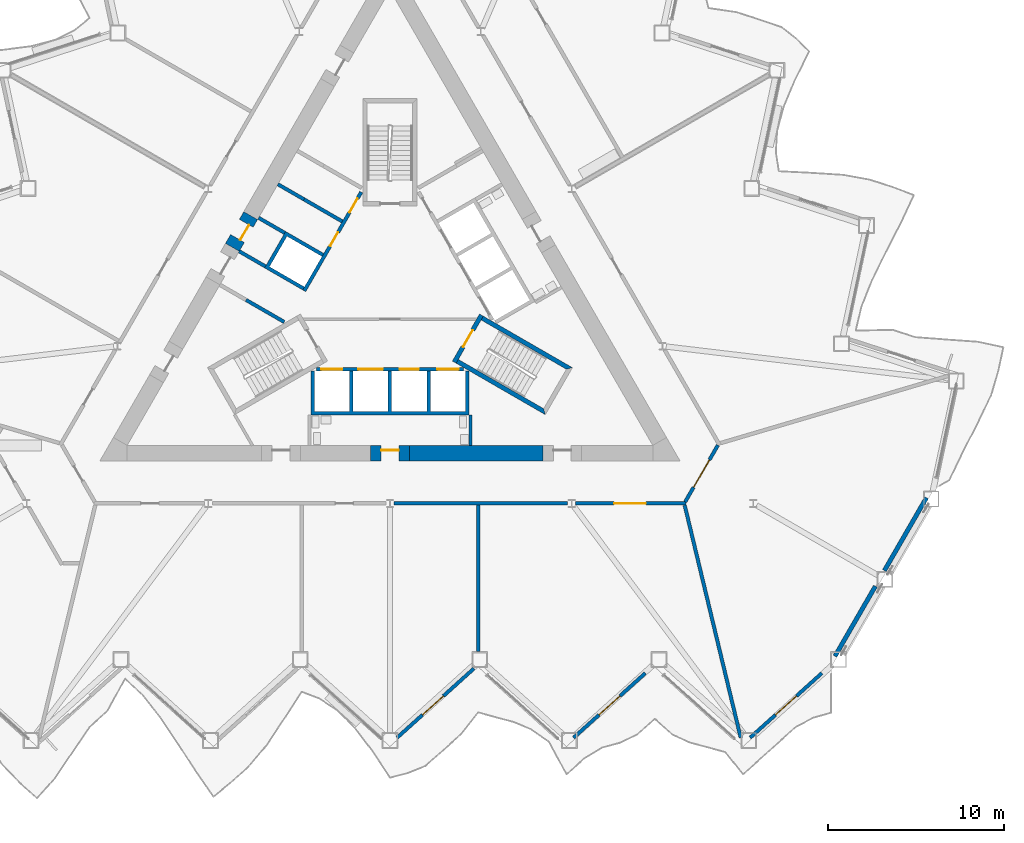
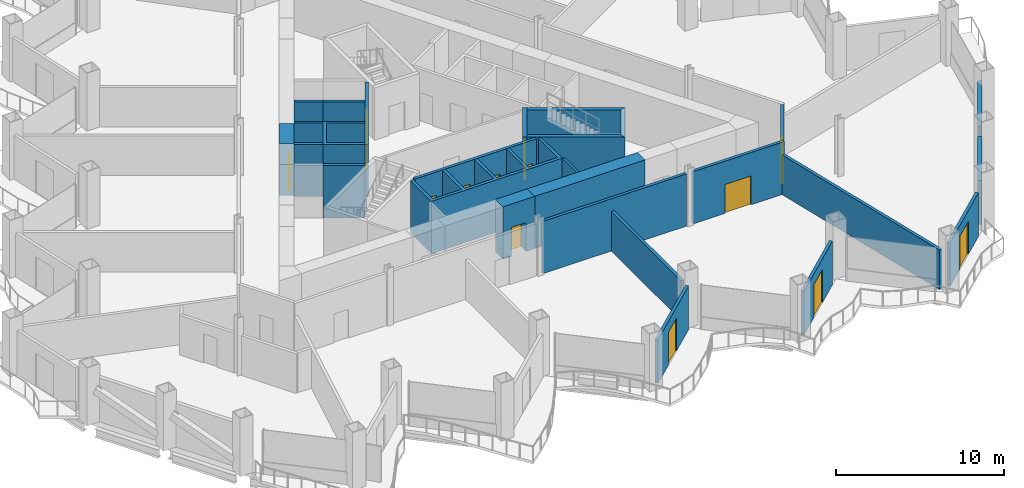
# One storey, part 11 of 21: 26 walls, 14 doors, 14 openings.
"""IFC4 building model written with IfcOpenShell, lengths in metres."""

from ifc_helpers import new_model, si_unit, direction, frame, frame_2d, origin, place, context, subcontext, project, spatial, polyline, rectangle, outline, extrude, material, layer, layer_set, type_object, element, fill, save


model = new_model("IFC4")

# Units and contexts
model_context = context("Model", 3, precision=1e-05, world=origin(), true_north=direction((0.0, 1.0)))
body_context = subcontext(model_context, "Body", "Model", "MODEL_VIEW")
ifc_project = project(units=[si_unit("LENGTHUNIT", "METRE"), si_unit("AREAUNIT", "SQUARE_METRE"), si_unit("VOLUMEUNIT", "CUBIC_METRE"), si_unit("PLANEANGLEUNIT", "RADIAN"), si_unit("MASSUNIT", "GRAM", prefix="KILO")], contexts=[model_context])

# Site, building, storey
site_placement = place(None, origin())
site = spatial("IfcSite", under=ifc_project, at=site_placement, CompositionType="ELEMENT")
building_placement = place(site_placement, origin())
building = spatial("IfcBuilding", under=site, at=building_placement, Name="Cormorant Prow Tower", CompositionType="ELEMENT")
storey_placement = place(building_placement, frame((0.0, 0.0, 112.199951171875)))
storey = spatial("IfcBuildingStorey", under=building, at=storey_placement, Name="L23", CompositionType="ELEMENT", Elevation=112.199951171875)

# Walls
ifc_material_1 = material(Name="Gypsum board partition")
ifc_layer_1 = layer(ifc_material_1, 0.14990234375)
ifc_layer_set_1 = layer_set([ifc_layer_1], Name="Gypsum board partition")
wall_type_1 = type_object("IfcWallType", Name="Core partition 150", PredefinedType="PARTITIONING", material=ifc_layer_set_1)
wall_1_placement = place(storey_placement, frame((4.574951171875, -6.906005859375, 0.0), z_axis=(0.0, 0.0, 1.0), x_axis=(0.0, -1.0, 0.0)))
element("IfcWall", 1, at=wall_1_placement, inside=storey, type_object=wall_type_1, Name="Service room partition", PredefinedType="PARTITIONING", context=body_context, shape_type="SweptSolid", body=[
    extrude(rectangle(XDim=1.72021484375, YDim=0.14990234375, at=frame_2d((0.860107421875, 0.0))), origin(), (0.0, 0.0, 1.0), 3.800048828125),
])
ifc_material_2 = material(Name="Concrete 8000 psi", Category="concrete")
ifc_layer_2 = layer(ifc_material_2, 0.89990234375)
ifc_layer_set_2 = layer_set([ifc_layer_2], Name="Concrete 8000 psi")
wall_type_2 = type_object("IfcWallType", Name="Core shear wall 900", PredefinedType="SHEAR", material=ifc_layer_set_2)
wall_2_placement = place(storey_placement, frame((1.10009765625, -9.076416015625, 0.0), z_axis=(0.0, 0.0, 1.0), x_axis=(1.0, 0.0, 0.0)))
element("IfcWall", 2, at=wall_2_placement, inside=storey, type_object=wall_type_2, Name="Core wall", PredefinedType="SHEAR", context=body_context, shape_type="SweptSolid", body=[
    extrude(rectangle(XDim=7.595458984375, YDim=0.89990234375, at=frame_2d((3.7978515625, 0.0))), origin(), (0.0, 0.0, 1.0), 3.800048828125),
])

# Wall, opening, door
wall_3_placement = place(storey_placement, frame((-1.10009765625, -9.076416015625, 0.0), z_axis=(0.0, 0.0, 1.0), x_axis=(1.0, 0.0, 0.0)))
wall_3 = element("IfcWall", 3, at=wall_3_placement, inside=storey, type_object=wall_type_2, Name="Core wall door panel", PredefinedType="SHEAR", context=body_context, shape_type="SweptSolid", body=[
    extrude(rectangle(XDim=2.2001953125, YDim=0.89990234375, at=frame_2d((1.10009765625, 0.0))), origin(), (0.0, 0.0, 1.0), 3.800048828125),
])
opening_1_placement = place(wall_3_placement, frame((0.60009765625, 0.0, 0.0)))
opening_1 = element("IfcOpeningElement", 4, at=opening_1_placement, cuts=wall_3, Name="Opening L23-C15", PredefinedType="OPENING", context=body_context, shape_type="SweptSolid", body=[
    extrude(rectangle(XDim=1.0, YDim=2.10009765625, at=frame_2d((0.5, 1.050048828125))), frame((0.0, 0.4599609375, 0.0), z_axis=(0.0, -1.0, 0.0), x_axis=(1.0, 0.0, 0.0)), (0.0, 0.0, 1.0), 0.919921875),
])
ifc_material_3 = material(Name="Painted steel", Category="steel")
door_type_1 = type_object("IfcDoorType", Name="Service door 1000x2100", OperationType="NOTDEFINED", PredefinedType="DOOR", material=ifc_material_3)
door_1_placement = place(opening_1_placement, origin())
door_1 = element("IfcDoor", 5, at=door_1_placement, inside=storey, type_object=door_type_1, Name="Core door, Toilets (women) L23", OperationType="SINGLE_SWING_RIGHT", OverallHeight=2.10009765625, OverallWidth=1.0, PredefinedType="DOOR", context=body_context, shape_type="SweptSolid", body=[
    extrude(rectangle(XDim=1.0, YDim=2.10009765625, at=frame_2d((0.5, 1.050048828125))), frame((0.0, 0.205078125, 0.0), z_axis=(0.0, -1.0, 0.0), x_axis=(1.0, 0.0, 0.0)), (0.0, 0.0, 1.0), 0.050048828125),
])
fill(opening_1, door_1)

wall_4_placement = place(storey_placement, frame((-7.92041015625, 4.43408203125, 0.0), z_axis=(0.0, 0.0, 1.0), x_axis=(-0.499939227269, -0.866060488094, 0.0)))
wall_4 = element("IfcWall", 6, at=wall_4_placement, inside=storey, type_object=wall_type_2, Name="Core wall door panel", PredefinedType="SHEAR", context=body_context, shape_type="SweptSolid", body=[
    extrude(rectangle(XDim=2.079833984375, YDim=0.89990234375, at=frame_2d((1.0400390625, 0.0))), origin(), (0.0, 0.0, 1.0), 3.800048828125),
])
opening_2_placement = place(wall_4_placement, frame((0.5, 0.0, 0.0)))
opening_2 = element("IfcOpeningElement", 7, at=opening_2_placement, cuts=wall_4, Name="Opening L23-C19", PredefinedType="OPENING", context=body_context, shape_type="SweptSolid", body=[
    extrude(rectangle(XDim=1.0, YDim=2.10009765625, at=frame_2d((0.5, 1.050048828125))), frame((0.0, 0.4599609375, 0.0), z_axis=(0.0, -1.0, 0.0), x_axis=(1.0, 0.0, 0.0)), (0.0, 0.0, 1.0), 0.919921875),
])
door_2_placement = place(opening_2_placement, origin())
door_2 = element("IfcDoor", 8, at=door_2_placement, inside=storey, type_object=door_type_1, Name="Core door, Electrical room", OperationType="SINGLE_SWING_LEFT", OverallHeight=2.10009765625, OverallWidth=1.0, PredefinedType="DOOR", context=body_context, shape_type="SweptSolid", body=[
    extrude(rectangle(XDim=1.0, YDim=2.10009765625, at=frame_2d((0.5, 1.050048828125))), frame((0.0, 0.205078125, 0.0), z_axis=(0.0, -1.0, 0.0), x_axis=(1.0, 0.0, 0.0)), (0.0, 0.0, 1.0), 0.050048828125),
])
fill(opening_2, door_2)

# Wall
ifc_material_4 = material(Name="Gypsum board corridor wall")
ifc_layer_3 = layer(ifc_material_4, 0.199951171875)
ifc_layer_set_3 = layer_set([ifc_layer_3], Name="Gypsum board corridor wall")
wall_type_3 = type_object("IfcWallType", Name="Corridor wall 200", PredefinedType="PARTITIONING", material=ifc_layer_set_3)
wall_5_placement = place(storey_placement, frame((0.227294921875, -11.92626953125, 0.0), z_axis=(0.0, 0.0, 1.0), x_axis=(1.0, 0.0, 0.0)))
element("IfcWall", 9, at=wall_5_placement, inside=storey, type_object=wall_type_3, Name="Corridor wall", PredefinedType="PARTITIONING", context=body_context, shape_type="SweptSolid", body=[
    extrude(rectangle(XDim=9.873779296875, YDim=0.199951171875, at=frame_2d((4.93701171875, 0.0))), origin(), (0.0, 0.0, 1.0), 3.800048828125),
])

# Wall, opening, door
wall_6_placement = place(storey_placement, frame((10.555908203125, -11.92626953125, 0.0), z_axis=(0.0, 0.0, 1.0), x_axis=(1.0, 0.0, 0.0)))
wall_6 = element("IfcWall", 10, at=wall_6_placement, inside=storey, type_object=wall_type_3, Name="Corridor wall", PredefinedType="PARTITIONING", context=body_context, shape_type="SweptSolid", body=[
    extrude(rectangle(XDim=6.27490234375, YDim=0.199951171875, at=frame_2d((3.137451171875, 0.0))), origin(), (0.0, 0.0, 1.0), 3.800048828125),
])
opening_3_placement = place(wall_6_placement, frame((2.1865234375, 0.0, 0.0)))
opening_3 = element("IfcOpeningElement", 11, at=opening_3_placement, cuts=wall_6, Name="Opening L23-F03", PredefinedType="OPENING", context=body_context, shape_type="SweptSolid", body=[
    extrude(rectangle(XDim=1.800048828125, YDim=2.10009765625, at=frame_2d((0.89990234375, 1.050048828125))), frame((0.0, 0.10986328125, 0.0), z_axis=(0.0, -1.0, 0.0), x_axis=(1.0, 0.0, 0.0)), (0.0, 0.0, 1.0), 0.219970703125),
])
ifc_material_5 = material(Name="Timber door leaf", Category="wood")
door_type_2 = type_object("IfcDoorType", Name="Double door 1800x2100", OperationType="DOUBLE_DOOR_SINGLE_SWING", PredefinedType="DOOR", material=ifc_material_5)
door_3_placement = place(opening_3_placement, origin())
door_3 = element("IfcDoor", 12, at=door_3_placement, inside=storey, type_object=door_type_2, Name="Open-plan office door", OperationType="DOUBLE_DOOR_SINGLE_SWING", OverallHeight=2.10009765625, OverallWidth=1.800048828125, PredefinedType="DOOR", context=body_context, shape_type="SweptSolid", body=[
    extrude(rectangle(XDim=1.800048828125, YDim=2.10009765625, at=frame_2d((0.89990234375, 1.050048828125))), frame((0.0, 0.02490234375, 0.0), z_axis=(0.0, -1.0, 0.0), x_axis=(1.0, 0.0, 0.0)), (0.0, 0.0, 1.0), 0.050048828125),
])
fill(opening_3, door_3)

wall_7_placement = place(storey_placement, frame((16.781005859375, -11.839599609375, 0.0), z_axis=(0.0, 0.0, 1.0), x_axis=(0.499958791762, 0.866049194065, 0.0)))
wall_7 = element("IfcWall", 13, at=wall_7_placement, inside=storey, type_object=wall_type_3, Name="Corridor wall", PredefinedType="PARTITIONING", context=body_context, shape_type="SweptSolid", body=[
    extrude(rectangle(XDim=3.725830078125, YDim=0.199951171875, at=frame_2d((1.86279296875, 0.0))), origin(), (0.0, 0.0, 1.0), 3.800048828125),
])
opening_4_placement = place(wall_7_placement, frame((0.962890625, 0.0, 0.0)))
opening_4 = element("IfcOpeningElement", 14, at=opening_4_placement, cuts=wall_7, Name="Opening L23-F04", PredefinedType="OPENING", context=body_context, shape_type="SweptSolid", body=[
    extrude(rectangle(XDim=1.800048828125, YDim=2.10009765625, at=frame_2d((0.89990234375, 1.050048828125))), frame((0.0, 0.10986328125, 0.0), z_axis=(0.0, -1.0, 0.0), x_axis=(1.0, 0.0, 0.0)), (0.0, 0.0, 1.0), 0.219970703125),
])
door_4_placement = place(opening_4_placement, origin())
door_4 = element("IfcDoor", 15, at=door_4_placement, inside=storey, type_object=door_type_2, Name="Open-plan office door", OperationType="DOUBLE_DOOR_SINGLE_SWING", OverallHeight=2.10009765625, OverallWidth=1.800048828125, PredefinedType="DOOR", context=body_context, shape_type="SweptSolid", body=[
    extrude(rectangle(XDim=1.800048828125, YDim=2.10009765625, at=frame_2d((0.89990234375, 1.050048828125))), frame((0.0, 0.02490234375, 0.0), z_axis=(0.0, -1.0, 0.0), x_axis=(1.0, 0.0, 0.0)), (0.0, 0.0, 1.0), 0.050048828125),
])
fill(opening_4, door_4)

# Walls
ifc_material_6 = material(Name="Gypsum board demising wall")
ifc_layer_4 = layer(ifc_material_6, 0.199951171875)
ifc_layer_set_4 = layer_set([ifc_layer_4], Name="Gypsum board demising wall")
wall_type_4 = type_object("IfcWallType", Name="Demising wall 200", PredefinedType="PARTITIONING", material=ifc_layer_set_4)
wall_8_placement = place(storey_placement, frame((16.75439453125, -12.0234375, 0.0), z_axis=(0.0, 0.0, 1.0), x_axis=(0.234226353532, -0.972182089586, 0.0)))
element("IfcWall", 16, at=wall_8_placement, inside=storey, type_object=wall_type_4, Name="Demising wall", PredefinedType="PARTITIONING", context=body_context, shape_type="SweptSolid", body=[
    extrude(rectangle(XDim=13.599365234375, YDim=0.199951171875, at=frame_2d((6.7998046875, 0.0))), origin(), (0.0, 0.0, 1.0), 2.88525390625),
])
wall_9_placement = place(storey_placement, frame((5.01806640625, -20.34716796875, 0.0), z_axis=(0.0, 0.0, 1.0), x_axis=(0.0, 1.0, 0.0)))
element("IfcWall", 17, at=wall_9_placement, inside=storey, type_object=wall_type_4, Name="Demising wall", PredefinedType="PARTITIONING", context=body_context, shape_type="SweptSolid", body=[
    extrude(rectangle(XDim=8.32080078125, YDim=0.199951171875, at=frame_2d((4.160400390625, 0.0))), origin(), (0.0, 0.0, 1.0), 2.88525390625),
])

# Wall, openings, doors
ifc_material_7 = material(Name="Concrete 5000 psi", Category="concrete")
ifc_layer_5 = layer(ifc_material_7, 0.199951171875)
ifc_layer_set_5 = layer_set([ifc_layer_5], Name="Concrete 5000 psi")
wall_type_5 = type_object("IfcWallType", Name="Lift lobby wall 200", PredefinedType="SOLIDWALL", material=ifc_layer_set_5)
wall_10_placement = place(storey_placement, frame((-4.1865234375, -4.300048828125, 0.0), z_axis=(0.0, 0.0, 1.0), x_axis=(1.0, 0.0, 0.0)))
wall_10 = element("IfcWall", 18, at=wall_10_placement, inside=storey, type_object=wall_type_5, Name="Lift lobby wall, S block", PredefinedType="SOLIDWALL", context=body_context, shape_type="SweptSolid", body=[
    extrude(rectangle(XDim=8.373046875, YDim=0.199951171875, at=frame_2d((4.1865234375, 0.0))), origin(), (0.0, 0.0, 1.0), 3.800048828125),
])
opening_5_placement = place(wall_10_placement, frame((0.28662109375, 0.0, 0.0)))
opening_5 = element("IfcOpeningElement", 19, at=opening_5_placement, cuts=wall_10, Name="Opening L23-C01", PredefinedType="OPENING", context=body_context, shape_type="SweptSolid", body=[
    extrude(rectangle(XDim=1.199951171875, YDim=2.10009765625, at=frame_2d((0.60009765625, 1.050048828125))), frame((0.0, 0.10986328125, 0.0), z_axis=(0.0, -1.0, 0.0), x_axis=(1.0, 0.0, 0.0)), (0.0, 0.0, 1.0), 0.219970703125),
])
opening_6_placement = place(wall_10_placement, frame((2.38671875, 0.0, 0.0)))
opening_6 = element("IfcOpeningElement", 20, at=opening_6_placement, cuts=wall_10, Name="Opening L23-C02", PredefinedType="OPENING", context=body_context, shape_type="SweptSolid", body=[
    extrude(rectangle(XDim=1.39990234375, YDim=2.10009765625, at=frame_2d((0.699951171875, 1.050048828125))), frame((0.0, 0.10986328125, 0.0), z_axis=(0.0, -1.0, 0.0), x_axis=(1.0, 0.0, 0.0)), (0.0, 0.0, 1.0), 0.219970703125),
])
opening_7_placement = place(wall_10_placement, frame((4.736572265625, 0.0, 0.0)))
opening_7 = element("IfcOpeningElement", 21, at=opening_7_placement, cuts=wall_10, Name="Opening L23-C03", PredefinedType="OPENING", context=body_context, shape_type="SweptSolid", body=[
    extrude(rectangle(XDim=1.10009765625, YDim=2.10009765625, at=frame_2d((0.550048828125, 1.050048828125))), frame((0.0, 0.10986328125, 0.0), z_axis=(0.0, -1.0, 0.0), x_axis=(1.0, 0.0, 0.0)), (0.0, 0.0, 1.0), 0.219970703125),
])
opening_8_placement = place(wall_10_placement, frame((6.88671875, 0.0, 0.0)))
opening_8 = element("IfcOpeningElement", 22, at=opening_8_placement, cuts=wall_10, Name="Opening L23-C04", PredefinedType="OPENING", context=body_context, shape_type="SweptSolid", body=[
    extrude(rectangle(XDim=1.199951171875, YDim=2.10009765625, at=frame_2d((0.60009765625, 1.050048828125))), frame((0.0, 0.10986328125, 0.0), z_axis=(0.0, -1.0, 0.0), x_axis=(1.0, 0.0, 0.0)), (0.0, 0.0, 1.0), 0.219970703125),
])
ifc_material_8 = material(Name="Painted steel", Category="steel")
door_type_3 = type_object("IfcDoorType", Name="Firefighting lift landing door 1200x2100", OperationType="SLIDING_TO_LEFT", PredefinedType="DOOR", material=ifc_material_8)
door_5_placement = place(opening_5_placement, origin())
door_5 = element("IfcDoor", 23, at=door_5_placement, inside=storey, type_object=door_type_3, Name="Landing door FL1", OperationType="SLIDING_TO_LEFT", OverallHeight=2.10009765625, OverallWidth=1.199951171875, PredefinedType="DOOR", context=body_context, shape_type="SweptSolid", body=[
    extrude(rectangle(XDim=1.199951171875, YDim=2.10009765625, at=frame_2d((0.60009765625, 1.050048828125))), frame((0.0, 0.02490234375, 0.0), z_axis=(0.0, -1.0, 0.0), x_axis=(1.0, 0.0, 0.0)), (0.0, 0.0, 1.0), 0.050048828125),
])
fill(opening_5, door_5)
door_6_placement = place(opening_8_placement, origin())
door_6 = element("IfcDoor", 24, at=door_6_placement, inside=storey, type_object=door_type_3, Name="Landing door FL2", OperationType="SLIDING_TO_LEFT", OverallHeight=2.10009765625, OverallWidth=1.199951171875, PredefinedType="DOOR", context=body_context, shape_type="SweptSolid", body=[
    extrude(rectangle(XDim=1.199951171875, YDim=2.10009765625, at=frame_2d((0.60009765625, 1.050048828125))), frame((0.0, 0.02490234375, 0.0), z_axis=(0.0, -1.0, 0.0), x_axis=(1.0, 0.0, 0.0)), (0.0, 0.0, 1.0), 0.050048828125),
])
fill(opening_8, door_6)
ifc_material_9 = material(Name="Painted steel", Category="steel")
door_type_4 = type_object("IfcDoorType", Name="Lift landing door 1100x2100", OperationType="SLIDING_TO_LEFT", PredefinedType="DOOR", material=ifc_material_9)
door_7_placement = place(opening_7_placement, origin())
door_7 = element("IfcDoor", 25, at=door_7_placement, inside=storey, type_object=door_type_4, Name="Landing door LR1", OperationType="SLIDING_TO_LEFT", OverallHeight=2.10009765625, OverallWidth=1.10009765625, PredefinedType="DOOR", context=body_context, shape_type="SweptSolid", body=[
    extrude(rectangle(XDim=1.10009765625, YDim=2.10009765625, at=frame_2d((0.550048828125, 1.050048828125))), frame((0.0, 0.02490234375, 0.0), z_axis=(0.0, -1.0, 0.0), x_axis=(1.0, 0.0, 0.0)), (0.0, 0.0, 1.0), 0.050048828125),
])
fill(opening_7, door_7)
ifc_material_10 = material(Name="Painted steel", Category="steel")
door_type_5 = type_object("IfcDoorType", Name="Service lift landing door 1400x2100", OperationType="SLIDING_TO_LEFT", PredefinedType="DOOR", material=ifc_material_10)
door_8_placement = place(opening_6_placement, origin())
door_8 = element("IfcDoor", 26, at=door_8_placement, inside=storey, type_object=door_type_5, Name="Landing door SL1", OperationType="SLIDING_TO_LEFT", OverallHeight=2.10009765625, OverallWidth=1.39990234375, PredefinedType="DOOR", context=body_context, shape_type="SweptSolid", body=[
    extrude(rectangle(XDim=1.39990234375, YDim=2.10009765625, at=frame_2d((0.699951171875, 1.050048828125))), frame((0.0, 0.02490234375, 0.0), z_axis=(0.0, -1.0, 0.0), x_axis=(1.0, 0.0, 0.0)), (0.0, 0.0, 1.0), 0.050048828125),
])
fill(opening_6, door_8)

wall_11_placement = place(storey_placement, frame((-1.630615234375, 5.775634765625, 0.0), z_axis=(0.0, 0.0, 1.0), x_axis=(-0.499992876559, -0.866029516466, 0.0)))
wall_11 = element("IfcWall", 27, at=wall_11_placement, inside=storey, type_object=wall_type_5, Name="Lift lobby wall, WNW block", PredefinedType="SOLIDWALL", context=body_context, shape_type="SweptSolid", body=[
    extrude(rectangle(XDim=6.486328125, YDim=0.199951171875, at=frame_2d((3.2431640625, 0.0))), origin(), (0.0, 0.0, 1.0), 3.800048828125),
])
opening_9_placement = place(wall_11_placement, frame((0.4365234375, 0.0, 0.0)))
opening_9 = element("IfcOpeningElement", 28, at=opening_9_placement, cuts=wall_11, Name="Opening L23-C09", PredefinedType="OPENING", context=body_context, shape_type="SweptSolid", body=[
    extrude(rectangle(XDim=0.89990234375, YDim=2.10009765625, at=frame_2d((0.449951171875, 1.050048828125))), frame((0.0, 0.10986328125, 0.0), z_axis=(0.0, -1.0, 0.0), x_axis=(1.0, 0.0, 0.0)), (0.0, 0.0, 1.0), 0.219970703125),
])
opening_10_placement = place(wall_11_placement, frame((2.63671875, 0.0, 0.0)))
opening_10 = element("IfcOpeningElement", 29, at=opening_10_placement, cuts=wall_11, Name="Opening L23-C10", PredefinedType="OPENING", context=body_context, shape_type="SweptSolid", body=[
    extrude(rectangle(XDim=0.89990234375, YDim=2.10009765625, at=frame_2d((0.449951171875, 1.050048828125))), frame((0.0, 0.10986328125, 0.0), z_axis=(0.0, -1.0, 0.0), x_axis=(1.0, 0.0, 0.0)), (0.0, 0.0, 1.0), 0.219970703125),
])
ifc_material_11 = material(Name="Painted steel", Category="steel")
door_type_6 = type_object("IfcDoorType", Name="Service door 900x2100", OperationType="NOTDEFINED", PredefinedType="DOOR", material=ifc_material_11)
door_9_placement = place(opening_9_placement, origin())
door_9 = element("IfcDoor", 30, at=door_9_placement, inside=storey, type_object=door_type_6, Name="Service door, Refuse store", OperationType="SINGLE_SWING_LEFT", OverallHeight=2.10009765625, OverallWidth=0.89990234375, PredefinedType="DOOR", context=body_context, shape_type="SweptSolid", body=[
    extrude(rectangle(XDim=0.89990234375, YDim=2.10009765625, at=frame_2d((0.449951171875, 1.050048828125))), frame((0.0, 0.02490234375, 0.0), z_axis=(0.0, -1.0, 0.0), x_axis=(1.0, 0.0, 0.0)), (0.0, 0.0, 1.0), 0.050048828125),
])
fill(opening_9, door_9)
door_10_placement = place(opening_10_placement, origin())
door_10 = element("IfcDoor", 31, at=door_10_placement, inside=storey, type_object=door_type_6, Name="Service door, Pantry store", OperationType="SINGLE_SWING_LEFT", OverallHeight=2.10009765625, OverallWidth=0.89990234375, PredefinedType="DOOR", context=body_context, shape_type="SweptSolid", body=[
    extrude(rectangle(XDim=0.89990234375, YDim=2.10009765625, at=frame_2d((0.449951171875, 1.050048828125))), frame((0.0, 0.02490234375, 0.0), z_axis=(0.0, -1.0, 0.0), x_axis=(1.0, 0.0, 0.0)), (0.0, 0.0, 1.0), 0.050048828125),
])
fill(opening_10, door_10)

# Walls
ifc_material_12 = material(Name="Concrete 8000 psi", Category="concrete")
ifc_layer_6 = layer(ifc_material_12, 0.199951171875)
ifc_layer_set_6 = layer_set([ifc_layer_6], Name="Concrete 8000 psi")
wall_type_6 = type_object("IfcWallType", Name="Lift shaft wall 200", PredefinedType="SHEAR", material=ifc_layer_set_6)
wall_12_placement = place(storey_placement, origin())
element("IfcWall", 32, at=wall_12_placement, inside=storey, type_object=wall_type_6, Name="Lift shaft walls, S block", PredefinedType="SHEAR", context=body_context, shape_type="SweptSolid", body=[
    extrude(outline(polyline([(4.5, -4.39990234375), (4.5, -6.906005859375), (-4.5, -6.906005859375), (-4.5, -4.39990234375), (-4.300048828125, -4.39990234375), (-4.300048828125, -6.699951171875), (-2.300048828125, -6.699951171875), (-2.300048828125, -4.39990234375), (-2.10009765625, -4.39990234375), (-2.10009765625, -6.699951171875), (-0.10009765625, -6.699951171875), (-0.10009765625, -4.39990234375), (0.10009765625, -4.39990234375), (0.10009765625, -6.699951171875), (2.10009765625, -6.699951171875), (2.10009765625, -4.39990234375), (2.300048828125, -4.39990234375), (2.300048828125, -6.699951171875), (4.300048828125, -6.699951171875), (4.300048828125, -4.39990234375), (4.5, -4.39990234375)])), origin(), (0.0, 0.0, 1.0), 3.800048828125),
])
wall_13_placement = place(storey_placement, origin())
element("IfcWall", 33, at=wall_13_placement, inside=storey, type_object=wall_type_6, Name="Lift shaft walls, WNW block", PredefinedType="SHEAR", context=body_context, shape_type="SweptSolid", body=[
    extrude(outline(polyline([(-6.060546875, -1.697021484375), (-8.230712890625, -0.444091796875), (-8.130859375, -0.27099609375), (-5.96044921875, -1.52392578125), (-6.060546875, -1.697021484375)])), origin(), (0.0, 0.0, 1.0), 3.800048828125),
])
wall_14_placement = place(storey_placement, origin())
element("IfcWall", 34, at=wall_14_placement, inside=storey, type_object=wall_type_6, Name="Lift shaft walls, WNW block", PredefinedType="SHEAR", context=body_context, shape_type="SweptSolid", body=[
    extrude(outline(polyline([(-4.96044921875, 0.2080078125), (-7.130859375, 1.461181640625), (-5.930908203125, 3.53955078125), (-3.760498046875, 2.28662109375), (-3.860595703125, 2.11328125), (-5.852294921875, 3.263427734375), (-6.852294921875, 1.53125), (-4.860595703125, 0.38134765625), (-4.96044921875, 0.2080078125)])), origin(), (0.0, 0.0, 1.0), 3.800048828125),
])
wall_15_placement = place(storey_placement, origin())
element("IfcWall", 35, at=wall_15_placement, inside=storey, type_object=wall_type_6, Name="Lift shaft walls, WNW block", PredefinedType="SHEAR", context=body_context, shape_type="SweptSolid", body=[
    extrude(outline(polyline([(-2.760498046875, 4.018798828125), (-4.930908203125, 5.271728515625), (-4.830810546875, 5.44482421875), (-2.660400390625, 4.19189453125), (-2.760498046875, 4.018798828125)])), origin(), (0.0, 0.0, 1.0), 3.800048828125),
])
wall_16_placement = place(storey_placement, frame((-4.880859375, 5.3583984375, 0.0), z_axis=(0.0, 0.0, 1.0), x_axis=(-0.866024871741, 0.500000921525, 0.0)))
element("IfcWall", 36, at=wall_16_placement, inside=storey, type_object=wall_type_6, Name="Store side wall", PredefinedType="SHEAR", context=body_context, shape_type="SweptSolid", body=[
    extrude(rectangle(XDim=1.72021484375, YDim=0.199951171875, at=frame_2d((0.860107421875, 0.0))), origin(), (0.0, 0.0, 1.0), 3.800048828125),
])
wall_17_placement = place(storey_placement, frame((-5.980712890625, 3.452880859375, 0.0), z_axis=(0.0, 0.0, 1.0), x_axis=(-0.866060346521, 0.499939472521, 0.0)))
element("IfcWall", 37, at=wall_17_placement, inside=storey, type_object=wall_type_6, Name="Store side wall", PredefinedType="SHEAR", context=body_context, shape_type="SweptSolid", body=[
    extrude(rectangle(XDim=1.720458984375, YDim=0.199951171875, at=frame_2d((0.8603515625, 0.0))), origin(), (0.0, 0.0, 1.0), 3.800048828125),
])
wall_18_placement = place(storey_placement, frame((-7.080810546875, 1.547607421875, 0.0), z_axis=(0.0, 0.0, 1.0), x_axis=(-0.865963414263, 0.500107353632, 0.0)))
element("IfcWall", 38, at=wall_18_placement, inside=storey, type_object=wall_type_6, Name="Lobby passage wall", PredefinedType="SHEAR", context=body_context, shape_type="SweptSolid", body=[
    extrude(rectangle(XDim=1.72021484375, YDim=0.199951171875, at=frame_2d((0.860107421875, 0.0))), origin(), (0.0, 0.0, 1.0), 3.800048828125),
])
ifc_material_13 = material(Name="Concrete 8000 psi", Category="concrete")
ifc_layer_7 = layer(ifc_material_13, 0.25)
ifc_layer_set_7 = layer_set([ifc_layer_7], Name="Concrete 8000 psi")
wall_type_7 = type_object("IfcWallType", Name="Stair wall 250", PredefinedType="SHEAR", material=ifc_layer_set_7)
wall_19_placement = place(storey_placement, origin())
element("IfcWall", 39, at=wall_19_placement, inside=storey, type_object=wall_type_7, Name="Stair ST2 enclosure wall (flank)", PredefinedType="SHEAR", context=body_context, shape_type="SweptSolid", body=[
    extrude(outline(polyline([(3.76318359375, -3.95556640625), (8.82958984375, -6.880615234375), (8.738037109375, -6.5390625), (3.88818359375, -3.739013671875), (3.76318359375, -3.95556640625)])), origin(), (0.0, 0.0, 1.0), 3.800048828125),
])
wall_20_placement = place(storey_placement, origin())
element("IfcWall", 40, at=wall_20_placement, inside=storey, type_object=wall_type_7, Name="Stair ST2 enclosure wall (flank)", PredefinedType="SHEAR", context=body_context, shape_type="SweptSolid", body=[
    extrude(outline(polyline([(10.031982421875, -4.2978515625), (10.37353515625, -4.206298828125), (5.30712890625, -1.28125), (5.18212890625, -1.497802734375), (10.031982421875, -4.2978515625)])), origin(), (0.0, 0.0, 1.0), 3.800048828125),
])

# Wall, opening, door
wall_21_placement = place(storey_placement, frame((3.655029296875, -3.89306640625, 0.0), z_axis=(0.0, 0.0, 1.0), x_axis=(0.499982516597, 0.866035497597, 0.0)))
wall_21 = element("IfcWall", 41, at=wall_21_placement, inside=storey, type_object=wall_type_7, Name="Stair ST2 door wall", PredefinedType="SHEAR", context=body_context, shape_type="SweptSolid", body=[
    extrude(rectangle(XDim=3.087890625, YDim=0.25, at=frame_2d((1.5439453125, 0.0))), origin(), (0.0, 0.0, 1.0), 3.800048828125),
])
opening_11_placement = place(wall_21_placement, frame((0.993896484375, 0.0, 0.0)))
opening_11 = element("IfcOpeningElement", 42, at=opening_11_placement, cuts=wall_21, Name="Opening L23-C13", PredefinedType="OPENING", context=body_context, shape_type="SweptSolid", body=[
    extrude(rectangle(XDim=1.10009765625, YDim=2.10009765625, at=frame_2d((0.550048828125, 1.050048828125))), frame((0.0, 0.135009765625, 0.0), z_axis=(0.0, -1.0, 0.0), x_axis=(1.0, 0.0, 0.0)), (0.0, 0.0, 1.0), 0.27001953125),
])
ifc_material_14 = material(Name="Painted steel", Category="steel")
door_type_7 = type_object("IfcDoorType", Name="Stair door 1100x2100", OperationType="NOTDEFINED", PredefinedType="DOOR", material=ifc_material_14)
door_11_placement = place(opening_11_placement, origin())
door_11 = element("IfcDoor", 43, at=door_11_placement, inside=storey, type_object=door_type_7, Name="Stair ST2 door", OperationType="SINGLE_SWING_RIGHT", OverallHeight=2.10009765625, OverallWidth=1.10009765625, PredefinedType="DOOR", context=body_context, shape_type="SweptSolid", body=[
    extrude(rectangle(XDim=1.10009765625, YDim=2.10009765625, at=frame_2d((0.550048828125, 1.050048828125))), frame((0.0, 0.02490234375, 0.0), z_axis=(0.0, -1.0, 0.0), x_axis=(1.0, 0.0, 0.0)), (0.0, 0.0, 1.0), 0.050048828125),
])
fill(opening_11, door_11)

# Walls
ifc_material_15 = material(Name="Terracotta", Category="masonry")
ifc_layer_8 = layer(ifc_material_15, 0.25)
ifc_layer_set_8 = layer_set([ifc_layer_8], Name="Terracotta")
wall_type_8 = type_object("IfcWallType", Name="Terracotta bay wall 250", PredefinedType="SOLIDWALL", material=ifc_layer_set_8)
wall_22_placement = place(storey_placement, frame((25.2998046875, -20.612060546875, 0.0), z_axis=(0.0, 0.0, 1.0), x_axis=(0.500018268964, 0.866014855936, 0.0)))
element("IfcWall", 44, at=wall_22_placement, inside=storey, type_object=wall_type_8, Name="Terracotta bay wall ESE00", PredefinedType="SOLIDWALL", context=body_context, shape_type="SweptSolid", body=[
    extrude(rectangle(XDim=4.595947265625, YDim=0.25, at=frame_2d((2.2978515625, 0.0))), origin(), (0.0, 0.0, 1.0), 3.18896484375),
])
wall_23_placement = place(storey_placement, frame((28.11083984375, -15.743408203125, 0.0), z_axis=(0.0, 0.0, 1.0), x_axis=(0.499984810975, 0.866034172995, 0.0)))
element("IfcWall", 45, at=wall_23_placement, inside=storey, type_object=wall_type_8, Name="Terracotta bay wall ESE01", PredefinedType="SOLIDWALL", context=body_context, shape_type="SweptSolid", body=[
    extrude(rectangle(XDim=4.779541015625, YDim=0.25, at=frame_2d((2.3896484375, 0.0))), origin(), (0.0, 0.0, 1.0), 3.18896484375),
])

# Wall, opening, door
ifc_material_16 = material(Name="Terracotta", Category="masonry")
ifc_layer_9 = layer(ifc_material_16, 0.199951171875)
ifc_layer_set_9 = layer_set([ifc_layer_9], Name="Terracotta")
wall_type_9 = type_object("IfcWallType", Name="Terracotta jamb wall 200", PredefinedType="SOLIDWALL", material=ifc_layer_set_9)
wall_24_placement = place(storey_placement, frame((0.40576171875, -25.243896484375, 0.0), z_axis=(0.0, 0.0, 1.0), x_axis=(0.743138997535, 0.669137078888, 0.0)))
wall_24 = element("IfcWall", 46, at=wall_24_placement, inside=storey, type_object=wall_type_9, Name="Terracotta jamb wall S05", PredefinedType="SOLIDWALL", context=body_context, shape_type="SweptSolid", body=[
    extrude(rectangle(XDim=5.869140625, YDim=0.199951171875, at=frame_2d((2.9345703125, 0.0))), origin(), (0.0, 0.0, 1.0), 3.18896484375),
])
opening_12_placement = place(wall_24_placement, frame((1.940185546875, 0.0, 0.0)))
opening_12 = element("IfcOpeningElement", 47, at=opening_12_placement, cuts=wall_24, Name="Opening ED23.03", PredefinedType="OPENING", context=body_context, shape_type="SweptSolid", body=[
    extrude(rectangle(XDim=1.60009765625, YDim=2.39990234375, at=frame_2d((0.800048828125, 1.199951171875))), frame((0.0, 0.10986328125, 0.0), z_axis=(0.0, -1.0, 0.0), x_axis=(1.0, 0.0, 0.0)), (0.0, 0.0, 1.0), 0.219970703125),
])
ifc_material_17 = material(Name="Aluminium 6063-T6", Category="aluminium")
door_type_8 = type_object("IfcDoorType", Name="Balcony door 1600x2400", OperationType="DOUBLE_DOOR_SINGLE_SWING", PredefinedType="DOOR", material=ifc_material_17)
door_12_placement = place(opening_12_placement, origin())
door_12 = element("IfcDoor", 48, at=door_12_placement, inside=storey, type_object=door_type_8, Name="Balcony door S05 ED23.03", OperationType="DOUBLE_DOOR_SINGLE_SWING", OverallHeight=2.39990234375, OverallWidth=1.60009765625, PredefinedType="DOOR", context=body_context, shape_type="SweptSolid", body=[
    extrude(rectangle(XDim=1.60009765625, YDim=2.39990234375, at=frame_2d((0.800048828125, 1.199951171875))), frame((0.0, 0.02490234375, 0.0), z_axis=(0.0, -1.0, 0.0), x_axis=(1.0, 0.0, 0.0)), (0.0, 0.0, 1.0), 0.050048828125),
])
fill(opening_12, door_12)

wall_25_placement = place(storey_placement, frame((10.44189453125, -25.243896484375, 0.0), z_axis=(0.0, 0.0, 1.0), x_axis=(0.743134641601, 0.669141916526, 0.0)))
wall_25 = element("IfcWall", 49, at=wall_25_placement, inside=storey, type_object=wall_type_9, Name="Terracotta jamb wall S07", PredefinedType="SOLIDWALL", context=body_context, shape_type="SweptSolid", body=[
    extrude(rectangle(XDim=5.48046875, YDim=0.199951171875, at=frame_2d((2.740234375, 0.0))), origin(), (0.0, 0.0, 1.0), 3.18896484375),
])
opening_13_placement = place(wall_25_placement, frame((1.940185546875, 0.0, 0.0)))
opening_13 = element("IfcOpeningElement", 50, at=opening_13_placement, cuts=wall_25, Name="Opening ED23.04", PredefinedType="OPENING", context=body_context, shape_type="SweptSolid", body=[
    extrude(rectangle(XDim=1.60009765625, YDim=2.39990234375, at=frame_2d((0.800048828125, 1.199951171875))), frame((0.0, 0.10986328125, 0.0), z_axis=(0.0, -1.0, 0.0), x_axis=(1.0, 0.0, 0.0)), (0.0, 0.0, 1.0), 0.219970703125),
])
door_13_placement = place(opening_13_placement, origin())
door_13 = element("IfcDoor", 51, at=door_13_placement, inside=storey, type_object=door_type_8, Name="Balcony door S07 ED23.04", OperationType="DOUBLE_DOOR_SINGLE_SWING", OverallHeight=2.39990234375, OverallWidth=1.60009765625, PredefinedType="DOOR", context=body_context, shape_type="SweptSolid", body=[
    extrude(rectangle(XDim=1.60009765625, YDim=2.39990234375, at=frame_2d((0.800048828125, 1.199951171875))), frame((0.0, 0.02490234375, 0.0), z_axis=(0.0, -1.0, 0.0), x_axis=(1.0, 0.0, 0.0)), (0.0, 0.0, 1.0), 0.050048828125),
])
fill(opening_13, door_13)

wall_26_placement = place(storey_placement, frame((20.477783203125, -25.243896484375, 0.0), z_axis=(0.0, 0.0, 1.0), x_axis=(0.743134641601, 0.669141916526, 0.0)))
wall_26 = element("IfcWall", 52, at=wall_26_placement, inside=storey, type_object=wall_type_9, Name="Terracotta jamb wall S09", PredefinedType="SOLIDWALL", context=body_context, shape_type="SweptSolid", body=[
    extrude(rectangle(XDim=5.48046875, YDim=0.199951171875, at=frame_2d((2.740234375, 0.0))), origin(), (0.0, 0.0, 1.0), 3.18896484375),
])
opening_14_placement = place(wall_26_placement, frame((1.940185546875, 0.0, 0.0)))
opening_14 = element("IfcOpeningElement", 53, at=opening_14_placement, cuts=wall_26, Name="Opening ED23.05", PredefinedType="OPENING", context=body_context, shape_type="SweptSolid", body=[
    extrude(rectangle(XDim=1.60009765625, YDim=2.39990234375, at=frame_2d((0.800048828125, 1.199951171875))), frame((0.0, 0.10986328125, 0.0), z_axis=(0.0, -1.0, 0.0), x_axis=(1.0, 0.0, 0.0)), (0.0, 0.0, 1.0), 0.219970703125),
])
door_14_placement = place(opening_14_placement, origin())
door_14 = element("IfcDoor", 54, at=door_14_placement, inside=storey, type_object=door_type_8, Name="Balcony door S09 ED23.05", OperationType="DOUBLE_DOOR_SINGLE_SWING", OverallHeight=2.39990234375, OverallWidth=1.60009765625, PredefinedType="DOOR", context=body_context, shape_type="SweptSolid", body=[
    extrude(rectangle(XDim=1.60009765625, YDim=2.39990234375, at=frame_2d((0.800048828125, 1.199951171875))), frame((0.0, 0.02490234375, 0.0), z_axis=(0.0, -1.0, 0.0), x_axis=(1.0, 0.0, 0.0)), (0.0, 0.0, 1.0), 0.050048828125),
])
fill(opening_14, door_14)

save(model, "model.ifc")
